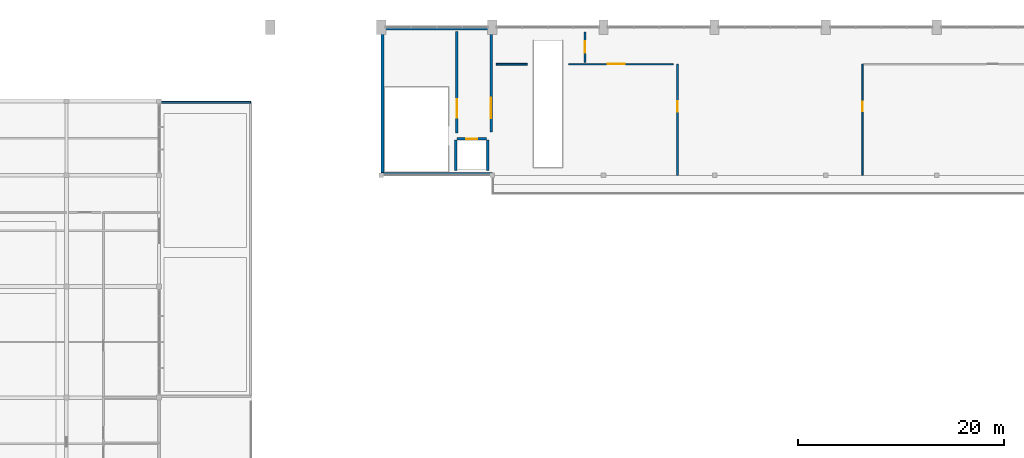
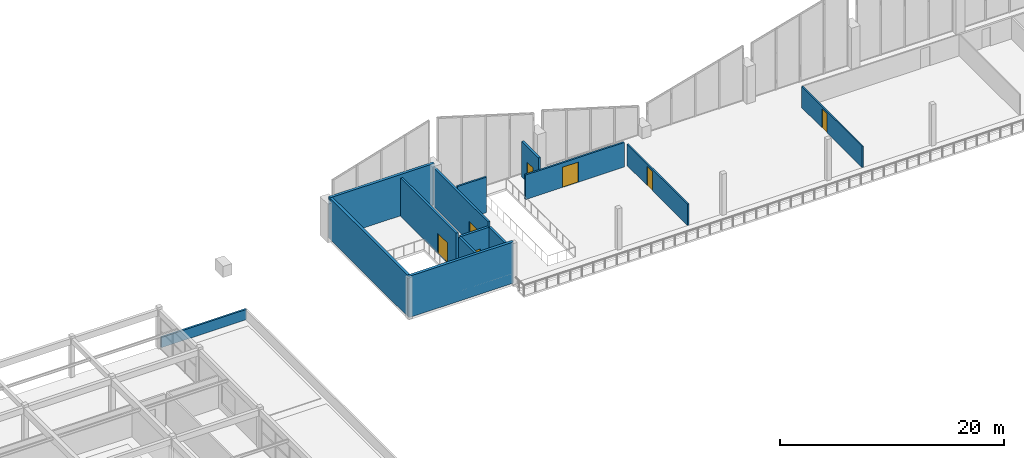
# One storey, part 68 of 89: 14 walls, 7 doors, 7 openings.
"""IFC4 building model written with IfcOpenShell, lengths in metres."""

from ifc_helpers import new_model, si_unit, direction, frame, frame_2d, origin, place, context, subcontext, project, spatial, rectangle, extrude, material, layer, layer_set, type_object, element, fill, save


model = new_model("IFC4")

# Units and contexts
model_context = context("Model", 3, precision=1e-05, world=origin(), true_north=direction((0.0, 1.0)))
body_context = subcontext(model_context, "Body", "Model", "MODEL_VIEW")
ifc_project = project(units=[si_unit("LENGTHUNIT", "METRE"), si_unit("AREAUNIT", "SQUARE_METRE"), si_unit("VOLUMEUNIT", "CUBIC_METRE"), si_unit("PLANEANGLEUNIT", "RADIAN"), si_unit("MASSUNIT", "GRAM", prefix="KILO")], contexts=[model_context])

# Site, building, storey
site_placement = place(None, origin())
site = spatial("IfcSite", under=ifc_project, at=site_placement, CompositionType="ELEMENT")
building_placement = place(site_placement, origin())
building = spatial("IfcBuilding", under=site, at=building_placement, Name="Suirenkawa Promenade Aquatics Centre", CompositionType="ELEMENT")
storey_placement = place(building_placement, frame((0.0, 0.0, 9.60009765625)))
storey = spatial("IfcBuildingStorey", under=building, at=storey_placement, Name="L02", CompositionType="ELEMENT", Elevation=9.60009765625)

# Walls
ifc_material_1 = material(Name="Concrete M40", Category="concrete")
ifc_layer_1 = layer(ifc_material_1, 0.280029296875, Name="Concrete M40", Category="concrete")
ifc_layer_set_1 = layer_set([ifc_layer_1], Name="Concrete M40")
wall_type_1 = type_object("IfcWallType", Name="WT-CORE-280", PredefinedType="SHEAR", material=ifc_layer_set_1)
for number, where, z_axis, x_axis, name in (
    (1, (57.60009765625, 108.139892578125, 0.0), (0.0, 0.0, 1.0), (1.0, 0.0, 0.0), "C3 south core wall WL-CORE-02 W-0120"),
    (2, (57.60009765625, 122.260009765625, 0.0), (0.0, 0.0, 1.0), (1.0, 0.0, 0.0), "C3 north core wall WL-CORE-02 W-0121"),
):
    element("IfcWall", number, at=place(storey_placement, frame(where, z_axis=z_axis, x_axis=x_axis)), inside=storey, type_object=wall_type_1, Name=name, PredefinedType="SHEAR", context=body_context, shape_type="SweptSolid", body=[
        extrude(rectangle(XDim=10.7998046875, YDim=0.280029296875, at=frame_2d((5.39990234375, 0.0))), origin(), (0.0, 0.0, 1.0), 4.5),
    ])
wall_1_placement = place(storey_placement, frame((57.739990234375, 108.280029296875, 0.0), z_axis=(0.0, 0.0, 1.0), x_axis=(0.0, 1.0, 0.0)))
element("IfcWall", 3, at=wall_1_placement, inside=storey, type_object=wall_type_1, Name="C3 west core wall WL-CORE-02 W-0122", PredefinedType="SHEAR", context=body_context, shape_type="SweptSolid", body=[
    extrude(rectangle(XDim=13.840087890625, YDim=0.280029296875, at=frame_2d((6.919921875, 0.0))), origin(), (0.0, 0.0, 1.0), 4.5),
])
ifc_material_2 = material(Name="Autoclaved aerated concrete blockwork Grade 1", Category="masonry")
ifc_layer_2 = layer(ifc_material_2, 0.179931640625, Name="Autoclaved aerated concrete blockwork Grade 1", Category="masonry")
ifc_layer_set_2 = layer_set([ifc_layer_2], Name="Autoclaved aerated concrete blockwork Grade 1")
wall_type_2 = type_object("IfcWallType", Name="WT-FIRE-180", PredefinedType="PARTITIONING", material=ifc_layer_set_2)
wall_2_placement = place(storey_placement, frame((68.800048828125, 118.800048828125, 0.0), z_axis=(0.0, 0.0, 1.0), x_axis=(1.0, 0.0, 0.0)))
element("IfcWall", 4, at=wall_2_placement, inside=storey, type_object=wall_type_2, Name="Interior wall WL-PRT-02 W-7180", PredefinedType="PARTITIONING", context=body_context, shape_type="SweptSolid", body=[
    extrude(rectangle(XDim=3.0, YDim=0.179931640625, at=frame_2d((1.5, 0.0))), origin(), (0.0, 0.0, 1.0), 3.885009765625),
])

# Wall, opening, door
wall_3_placement = place(storey_placement, frame((75.800048828125, 118.800048828125, 0.0), z_axis=(0.0, 0.0, 1.0), x_axis=(1.0, 0.0, 0.0)))
wall_3 = element("IfcWall", 5, at=wall_3_placement, inside=storey, type_object=wall_type_2, Name="Interior wall WL-PRT-02 W-7181", PredefinedType="PARTITIONING", context=body_context, shape_type="SweptSolid", body=[
    extrude(rectangle(XDim=10.199951171875, YDim=0.179931640625, at=frame_2d((5.10009765625, 0.0))), origin(), (0.0, 0.0, 1.0), 2.681884765625),
])
opening_1_placement = place(wall_3_placement, frame((3.800048828125, 0.0, 0.0)))
opening_1 = element("IfcOpeningElement", 6, at=opening_1_placement, cuts=wall_3, Name="Opening ID-05", PredefinedType="OPENING", context=body_context, shape_type="SweptSolid", body=[
    extrude(rectangle(XDim=1.64990234375, YDim=2.199951171875, at=frame_2d((0.824951171875, 1.10009765625))), frame((0.0, 0.099853515625, 0.0), z_axis=(0.0, -1.0, 0.0), x_axis=(1.0, 0.0, 0.0)), (0.0, 0.0, 1.0), 0.199951171875),
])
ifc_material_3 = material(Name="Engineered maple acoustic sports timber", Category="wood")
door_type_1 = type_object("IfcDoorType", Name="DT-FD60-1650x2200", OperationType="DOUBLE_DOOR_SINGLE_SWING", PredefinedType="DOOR", material=ifc_material_3)
door_1_placement = place(opening_1_placement, origin())
door_1 = element("IfcDoor", 7, at=door_1_placement, inside=storey, type_object=door_type_1, Name="Interior door ID-05 DR-INT-0117", OperationType="DOUBLE_DOOR_SINGLE_SWING", OverallHeight=2.199951171875, OverallWidth=1.64990234375, PredefinedType="DOOR", context=body_context, shape_type="SweptSolid", body=[
    extrude(rectangle(XDim=1.64990234375, YDim=2.199951171875, at=frame_2d((0.824951171875, 1.10009765625))), frame((0.0, 0.02490234375, 0.0), z_axis=(0.0, -1.0, 0.0), x_axis=(1.0, 0.0, 0.0)), (0.0, 0.0, 1.0), 0.050048828125),
])
fill(opening_1, door_1)

ifc_material_4 = material(Name="Concrete M35", Category="concrete")
ifc_layer_3 = layer(ifc_material_4, 0.219970703125, Name="Concrete M35", Category="concrete")
ifc_layer_set_3 = layer_set([ifc_layer_3], Name="Concrete M35")
wall_type_3 = type_object("IfcWallType", Name="WT-LOBBY-220", PredefinedType="PARTITIONING", material=ifc_layer_set_3)
wall_4_placement = place(storey_placement, frame((64.949951171875, 112.10009765625, 0.0), z_axis=(0.0, 0.0, 1.0), x_axis=(0.0, 1.0, 0.0)))
wall_4 = element("IfcWall", 8, at=wall_4_placement, inside=storey, type_object=wall_type_3, Name="Interior wall WL-LOB-01 W-7087", PredefinedType="PARTITIONING", context=body_context, shape_type="SweptSolid", body=[
    extrude(rectangle(XDim=9.89990234375, YDim=0.219970703125, at=frame_2d((4.949951171875, 0.0))), origin(), (0.0, 0.0, 1.0), 4.204833984375),
])
opening_2_placement = place(wall_4_placement, frame((1.5, 0.0, 0.0)))
opening_2 = element("IfcOpeningElement", 9, at=opening_2_placement, cuts=wall_4, Name="Opening ID-02", PredefinedType="OPENING", context=body_context, shape_type="SweptSolid", body=[
    extrude(rectangle(XDim=1.800048828125, YDim=2.199951171875, at=frame_2d((0.89990234375, 1.10009765625))), frame((0.0, 0.119873046875, 0.0), z_axis=(0.0, -1.0, 0.0), x_axis=(1.0, 0.0, 0.0)), (0.0, 0.0, 1.0), 0.239990234375),
])
ifc_material_5 = material(Name="Steel IS 2062 E350 (Grade 350)", Category="steel")
door_type_2 = type_object("IfcDoorType", Name="DT-FD120-1800x2200", OperationType="DOUBLE_DOOR_SINGLE_SWING", PredefinedType="DOOR", material=ifc_material_5)
door_2_placement = place(opening_2_placement, origin())
door_2 = element("IfcDoor", 10, at=door_2_placement, inside=storey, type_object=door_type_2, Name="Interior door ID-02 DR-INT-0057", OperationType="DOUBLE_DOOR_SINGLE_SWING", OverallHeight=2.199951171875, OverallWidth=1.800048828125, PredefinedType="DOOR", context=body_context, shape_type="SweptSolid", body=[
    extrude(rectangle(XDim=1.800048828125, YDim=2.199951171875, at=frame_2d((0.89990234375, 1.10009765625))), frame((0.0, 0.02490234375, 0.0), z_axis=(0.0, -1.0, 0.0), x_axis=(1.0, 0.0, 0.0)), (0.0, 0.0, 1.0), 0.050048828125),
])
fill(opening_2, door_2)

wall_5_placement = place(storey_placement, frame((68.2900390625, 112.199951171875, 0.0), z_axis=(0.0, 0.0, 1.0), x_axis=(0.0, 1.0, 0.0)))
wall_5 = element("IfcWall", 11, at=wall_5_placement, inside=storey, type_object=wall_type_3, Name="Interior wall WL-LOB-01 W-7091", PredefinedType="PARTITIONING", context=body_context, shape_type="SweptSolid", body=[
    extrude(rectangle(XDim=9.75, YDim=0.219970703125, at=frame_2d((4.875, 0.0))), origin(), (0.0, 0.0, 1.0), 4.204833984375),
])
opening_3_placement = place(wall_5_placement, frame((1.35009765625, 0.0, 0.0)))
opening_3 = element("IfcOpeningElement", 12, at=opening_3_placement, cuts=wall_5, Name="Opening ID-01", PredefinedType="OPENING", context=body_context, shape_type="SweptSolid", body=[
    extrude(rectangle(XDim=2.0, YDim=2.199951171875, at=frame_2d((1.0, 1.10009765625))), frame((0.0, 0.119873046875, 0.0), z_axis=(0.0, -1.0, 0.0), x_axis=(1.0, 0.0, 0.0)), (0.0, 0.0, 1.0), 0.239990234375),
])
door_type_3 = type_object("IfcDoorType", Name="DT-FD120-2000x2200", OperationType="DOUBLE_DOOR_SINGLE_SWING", PredefinedType="DOOR", material=ifc_material_5)
door_3_placement = place(opening_3_placement, origin())
door_3 = element("IfcDoor", 13, at=door_3_placement, inside=storey, type_object=door_type_3, Name="Interior door ID-01 DR-INT-0059", OperationType="DOUBLE_DOOR_SINGLE_SWING", OverallHeight=2.199951171875, OverallWidth=2.0, PredefinedType="DOOR", context=body_context, shape_type="SweptSolid", body=[
    extrude(rectangle(XDim=2.0, YDim=2.199951171875, at=frame_2d((1.0, 1.10009765625))), frame((0.0, 0.02490234375, 0.0), z_axis=(0.0, -1.0, 0.0), x_axis=(1.0, 0.0, 0.0)), (0.0, 0.0, 1.0), 0.050048828125),
])
fill(opening_3, door_3)

wall_6_placement = place(storey_placement, frame((77.39990234375, 121.949951171875, 0.0), z_axis=(0.0, 0.0, 1.0), x_axis=(0.0, -1.0, 0.0)))
wall_6 = element("IfcWall", 14, at=wall_6_placement, inside=storey, type_object=wall_type_3, Name="Interior wall WL-LOB-01 W-7409", PredefinedType="PARTITIONING", context=body_context, shape_type="SweptSolid", body=[
    extrude(rectangle(XDim=3.0, YDim=0.219970703125, at=frame_2d((1.5, 0.0))), origin(), (0.0, 0.0, 1.0), 3.885009765625),
])
opening_4_placement = place(wall_6_placement, frame((0.89990234375, 0.0, 0.0)))
opening_4 = element("IfcOpeningElement", 15, at=opening_4_placement, cuts=wall_6, Name="Opening ID-03", PredefinedType="OPENING", context=body_context, shape_type="SweptSolid", body=[
    extrude(rectangle(XDim=1.14990234375, YDim=2.199951171875, at=frame_2d((0.574951171875, 1.10009765625))), frame((0.0, 0.119873046875, 0.0), z_axis=(0.0, -1.0, 0.0), x_axis=(1.0, 0.0, 0.0)), (0.0, 0.0, 1.0), 0.239990234375),
])
door_type_4 = type_object("IfcDoorType", Name="DT-FD120-1150x2200", OperationType="NOTDEFINED", PredefinedType="DOOR", material=ifc_material_5)
door_4_placement = place(opening_4_placement, origin())
door_4 = element("IfcDoor", 16, at=door_4_placement, inside=storey, type_object=door_type_4, Name="Interior door ID-03 DR-INT-0245", OperationType="SINGLE_SWING_LEFT", OverallHeight=2.199951171875, OverallWidth=1.14990234375, PredefinedType="DOOR", context=body_context, shape_type="SweptSolid", body=[
    extrude(rectangle(XDim=1.14990234375, YDim=2.199951171875, at=frame_2d((0.574951171875, 1.10009765625))), frame((0.0, 0.02490234375, 0.0), z_axis=(0.0, -1.0, 0.0), x_axis=(1.0, 0.0, 0.0)), (0.0, 0.0, 1.0), 0.050048828125),
])
fill(opening_4, door_4)

# Wall
ifc_layer_4 = layer(ifc_material_1, 0.18994140625, Name="Concrete M40", Category="concrete")
ifc_layer_set_4 = layer_set([ifc_layer_4], Name="Concrete M40")
wall_type_4 = type_object("IfcWallType", Name="WT-PARAPET-190", PredefinedType="PARAPET", material=ifc_layer_set_4)
wall_7_placement = place(storey_placement, frame((36.14990234375, 115.10009765625, 0.0), z_axis=(0.0, 0.0, 1.0), x_axis=(1.0, 0.0, 0.0)))
element("IfcWall", 17, at=wall_7_placement, inside=storey, type_object=wall_type_4, Name="Setback roof parapet WL-PAR-02 W-5144", PredefinedType="PARAPET", context=body_context, shape_type="SweptSolid", body=[
    extrude(rectangle(XDim=8.75, YDim=0.18994140625, at=frame_2d((4.375, 0.0))), origin(), (0.0, 0.0, 1.0), 1.119873046875),
])

# Wall, opening, door
ifc_layer_5 = layer(ifc_material_1, 0.239990234375, Name="Concrete M40", Category="concrete")
ifc_layer_set_5 = layer_set([ifc_layer_5], Name="Concrete M40")
wall_type_5 = type_object("IfcWallType", Name="WT-SHAFT-240", PredefinedType="SOLIDWALL", material=ifc_layer_set_5)
wall_8_placement = place(storey_placement, frame((64.949951171875, 111.550048828125, 0.0), z_axis=(0.0, 0.0, 1.0), x_axis=(1.0, 0.0, 0.0)))
wall_8 = element("IfcWall", 18, at=wall_8_placement, inside=storey, type_object=wall_type_5, Name="Interior wall WL-SHF-01 W-7088", PredefinedType="SOLIDWALL", context=body_context, shape_type="SweptSolid", body=[
    extrude(rectangle(XDim=2.900146484375, YDim=0.239990234375, at=frame_2d((1.4501953125, 0.0))), origin(), (0.0, 0.0, 1.0), 4.204833984375),
])
opening_5_placement = place(wall_8_placement, frame((0.89990234375, 0.0, 0.0)))
opening_5 = element("IfcOpeningElement", 19, at=opening_5_placement, cuts=wall_8, Name="Opening LD-01", PredefinedType="OPENING", context=body_context, shape_type="SweptSolid", body=[
    extrude(rectangle(XDim=1.10009765625, YDim=2.14990234375, at=frame_2d((0.550048828125, 1.074951171875))), frame((0.0, 0.1298828125, 0.0), z_axis=(0.0, -1.0, 0.0), x_axis=(1.0, 0.0, 0.0)), (0.0, 0.0, 1.0), 0.260009765625),
])
ifc_material_6 = material(Name="Marine-grade stainless steel Grade 316L", Category="steel")
door_type_5 = type_object("IfcDoorType", Name="DT-LIFT-1100x2150", OperationType="DOUBLE_DOOR_SLIDING", PredefinedType="DOOR", material=ifc_material_6)
door_5_placement = place(opening_5_placement, origin())
door_5 = element("IfcDoor", 20, at=door_5_placement, inside=storey, type_object=door_type_5, Name="Landing door LD-01 DR-INT-0058", OperationType="DOUBLE_DOOR_SLIDING", OverallHeight=2.14990234375, OverallWidth=1.10009765625, PredefinedType="DOOR", context=body_context, shape_type="SweptSolid", body=[
    extrude(rectangle(XDim=1.10009765625, YDim=2.14990234375, at=frame_2d((0.550048828125, 1.074951171875))), frame((0.0, 0.02490234375, 0.0), z_axis=(0.0, -1.0, 0.0), x_axis=(1.0, 0.0, 0.0)), (0.0, 0.0, 1.0), 0.050048828125),
])
fill(opening_5, door_5)

# Walls
for number, where, z_axis, x_axis, name in (
    (21, (64.85009765625, 108.449951171875, 0.0), (0.0, 0.0, 1.0), (0.0, 1.0, 0.0), "Interior wall WL-SHF-01 W-7089"),
    (22, (67.949951171875, 108.449951171875, 0.0), (0.0, 0.0, 1.0), (0.0, 1.0, 0.0), "Interior wall WL-SHF-01 W-7090"),
):
    element("IfcWall", number, at=place(storey_placement, frame(where, z_axis=z_axis, x_axis=x_axis)), inside=storey, type_object=wall_type_5, Name=name, PredefinedType="SOLIDWALL", context=body_context, shape_type="SweptSolid", body=[
        extrude(rectangle(XDim=3.0, YDim=0.239990234375, at=frame_2d((1.5, 0.0))), origin(), (0.0, 0.0, 1.0), 4.204833984375),
    ])

# Wall, opening, door
ifc_material_7 = material(Name="Moisture-resistant acoustic gypsum board")
ifc_layer_6 = layer(ifc_material_7, 0.139892578125, Name="Moisture-resistant acoustic gypsum board")
ifc_layer_set_6 = layer_set([ifc_layer_6], Name="Moisture-resistant acoustic gypsum board")
wall_type_6 = type_object("IfcWallType", Name="WT-STD-140", PredefinedType="PARTITIONING", material=ifc_layer_set_6)
wall_9_placement = place(storey_placement, frame((104.39990234375, 108.0, 0.0), z_axis=(0.0, 0.0, 1.0), x_axis=(0.0, 1.0, 0.0)))
wall_9 = element("IfcWall", 23, at=wall_9_placement, inside=storey, type_object=wall_type_6, Name="Interior wall WL-PRT-04 W-7328", PredefinedType="PARTITIONING", context=body_context, shape_type="SweptSolid", body=[
    extrude(rectangle(XDim=10.800048828125, YDim=0.139892578125, at=frame_2d((5.39990234375, 0.0))), origin(), (0.0, 0.0, 1.0), 2.324951171875),
])
opening_6_placement = place(wall_9_placement, frame((6.220947265625, 0.0, 0.0)))
opening_6 = element("IfcOpeningElement", 24, at=opening_6_placement, cuts=wall_9, Name="Opening ID-11", PredefinedType="OPENING", context=body_context, shape_type="SweptSolid", body=[
    extrude(rectangle(XDim=0.949951171875, YDim=2.10009765625, at=frame_2d((0.47509765625, 1.050048828125))), frame((0.0, 0.079833984375, 0.0), z_axis=(0.0, -1.0, 0.0), x_axis=(1.0, 0.0, 0.0)), (0.0, 0.0, 1.0), 0.159912109375),
])
door_type_6 = type_object("IfcDoorType", Name="DT-STD-950x2100", OperationType="NOTDEFINED", PredefinedType="DOOR", material=ifc_material_3)
door_6_placement = place(opening_6_placement, origin())
door_6 = element("IfcDoor", 25, at=door_6_placement, inside=storey, type_object=door_type_6, Name="Interior door ID-11 DR-INT-0192", OperationType="SINGLE_SWING_RIGHT", OverallHeight=2.10009765625, OverallWidth=0.949951171875, PredefinedType="DOOR", context=body_context, shape_type="SweptSolid", body=[
    extrude(rectangle(XDim=0.949951171875, YDim=2.10009765625, at=frame_2d((0.47509765625, 1.050048828125))), frame((0.0, 0.02490234375, 0.0), z_axis=(0.0, -1.0, 0.0), x_axis=(1.0, 0.0, 0.0)), (0.0, 0.0, 1.0), 0.050048828125),
])
fill(opening_6, door_6)

ifc_layer_7 = layer(ifc_material_2, 0.159912109375, Name="Autoclaved aerated concrete blockwork Grade 1", Category="masonry")
ifc_layer_set_7 = layer_set([ifc_layer_7], Name="Autoclaved aerated concrete blockwork Grade 1")
wall_type_7 = type_object("IfcWallType", Name="WT-WET-160", PredefinedType="PARTITIONING", material=ifc_layer_set_7)
wall_10_placement = place(storey_placement, frame((86.39990234375, 108.0, 0.0), z_axis=(0.0, 0.0, 1.0), x_axis=(0.0, 1.0, 0.0)))
wall_10 = element("IfcWall", 26, at=wall_10_placement, inside=storey, type_object=wall_type_7, Name="Interior wall WL-PRT-03 W-7327", PredefinedType="PARTITIONING", context=body_context, shape_type="SweptSolid", body=[
    extrude(rectangle(XDim=10.800048828125, YDim=0.159912109375, at=frame_2d((5.39990234375, 0.0))), origin(), (0.0, 0.0, 1.0), 2.324951171875),
])
opening_7_placement = place(wall_10_placement, frame((6.196044921875, 0.0, 0.0)))
opening_7 = element("IfcOpeningElement", 27, at=opening_7_placement, cuts=wall_10, Name="Opening ID-07", PredefinedType="OPENING", context=body_context, shape_type="SweptSolid", body=[
    extrude(rectangle(XDim=1.0, YDim=2.10009765625, at=frame_2d((0.5, 1.050048828125))), frame((0.0, 0.08984375, 0.0), z_axis=(0.0, -1.0, 0.0), x_axis=(1.0, 0.0, 0.0)), (0.0, 0.0, 1.0), 0.179931640625),
])
door_type_7 = type_object("IfcDoorType", Name="DT-FD60-1000x2100", OperationType="NOTDEFINED", PredefinedType="DOOR", material=ifc_material_3)
door_7_placement = place(opening_7_placement, origin())
door_7 = element("IfcDoor", 28, at=door_7_placement, inside=storey, type_object=door_type_7, Name="Interior door ID-07 DR-INT-0191", OperationType="SINGLE_SWING_LEFT", OverallHeight=2.10009765625, OverallWidth=1.0, PredefinedType="DOOR", context=body_context, shape_type="SweptSolid", body=[
    extrude(rectangle(XDim=1.0, YDim=2.10009765625, at=frame_2d((0.5, 1.050048828125))), frame((0.0, 0.02490234375, 0.0), z_axis=(0.0, -1.0, 0.0), x_axis=(1.0, 0.0, 0.0)), (0.0, 0.0, 1.0), 0.050048828125),
])
fill(opening_7, door_7)

save(model, "model.ifc")
